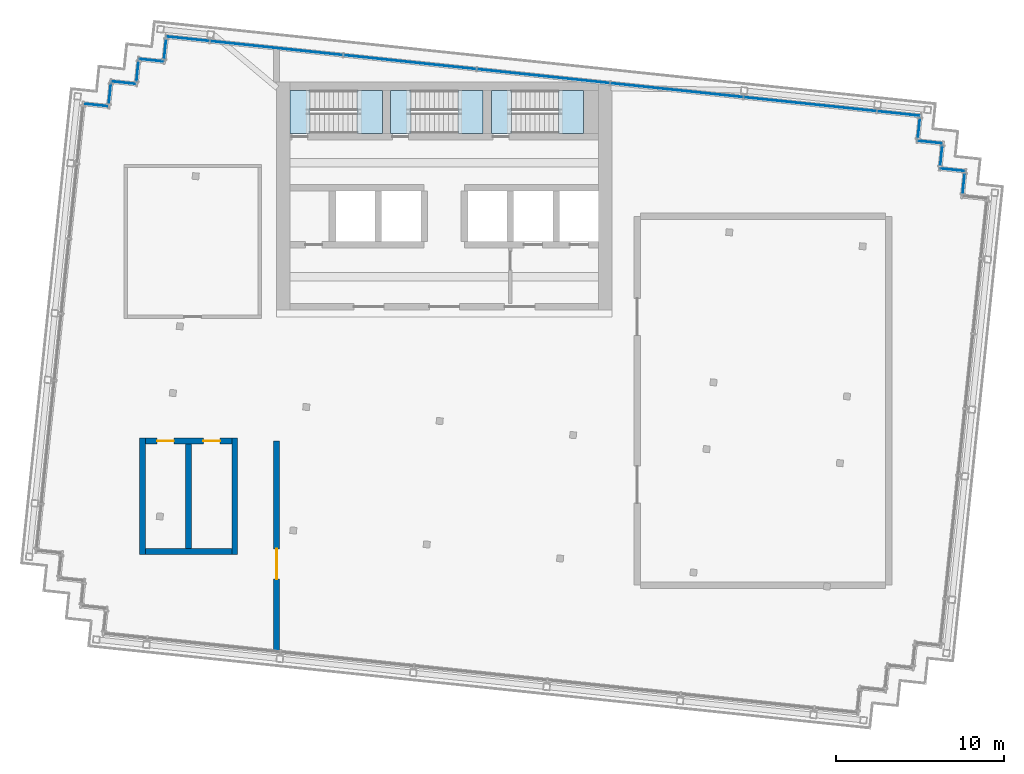
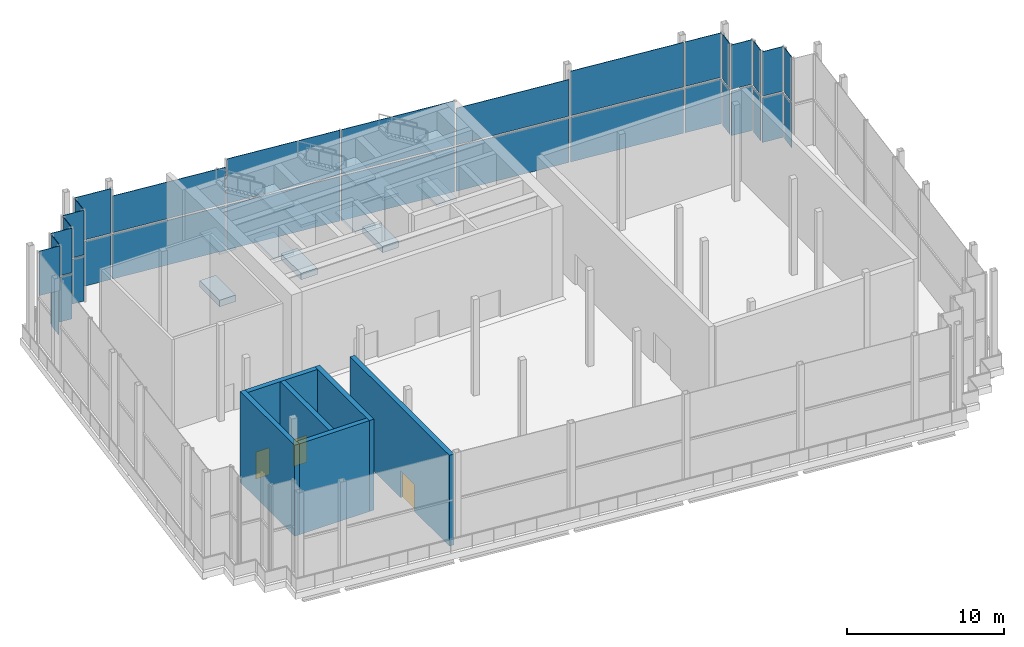
# One storey, part 8 of 14: 35 plates, 12 slabs, 6 walls, 3 doors, 3 openings, 15 elements without a shape of their own.
"""IFC4 building model written with IfcOpenShell, lengths in metres."""

from ifc_helpers import new_model, si_unit, direction, frame, frame_2d, origin, origin_2d, place, context, subcontext, project, spatial, polyline, rectangle, outline, extrude, material, layer, layer_set, type_object, element, fill, aggregate, save


model = new_model("IFC4")

# Units and contexts
model_context = context("Model", 3, precision=1e-05, world=origin(), true_north=direction((0.0, 1.0)))
body_context = subcontext(model_context, "Body", "Model", "MODEL_VIEW")
ifc_project = project(units=[si_unit("LENGTHUNIT", "METRE"), si_unit("AREAUNIT", "SQUARE_METRE"), si_unit("VOLUMEUNIT", "CUBIC_METRE"), si_unit("PLANEANGLEUNIT", "RADIAN"), si_unit("MASSUNIT", "GRAM", prefix="KILO")], contexts=[model_context])

# Site, building, storey
site_placement = place(None, origin())
site = spatial("IfcSite", under=ifc_project, at=site_placement, CompositionType="ELEMENT")
building_placement = place(site_placement, origin())
building = spatial("IfcBuilding", under=site, at=building_placement, Name="Vidyagriha Tower", CompositionType="ELEMENT")
storey_placement = place(building_placement, frame((0.0, 0.0, 301.699951171875)))
storey = spatial("IfcBuildingStorey", under=building, at=storey_placement, Name="L78", CompositionType="ELEMENT", Elevation=301.699951171875)

# Curtain wall, plates
ifc_material_1 = material(Name="Aluminium and glass curtain wall", Category="aluminium")
curtain_wall_type = type_object("IfcCurtainWallType", Name="Damper floor glazing wall", PredefinedType="USERDEFINED", material=ifc_material_1)
curtain_wall_1_placement = place(storey_placement, origin())
curtain_wall_1 = element("IfcCurtainWall", 1, at=curtain_wall_1_placement, inside=storey, type_object=curtain_wall_type, Name="CW5 damper floor glazing", ObjectType="STICK GLAZING", PredefinedType="USERDEFINED")
ifc_material_2 = material(Name="Glass clear low-iron", Category="glass")
ifc_layer_1 = layer(ifc_material_2, 0.0400390625)
ifc_layer_set_1 = layer_set([ifc_layer_1], Name="Glass clear low-iron")
plate_type = type_object("IfcPlateType", Name="Clear damper floor glass panel", PredefinedType="CURTAIN_PANEL", material=ifc_layer_set_1)
plate_1_placement = place(storey_placement, frame((30.973876953125, 13.949462890625, 0.0), z_axis=(0.0, 0.0, 1.0), x_axis=(0.104475014354, 0.994527511623, 0.0)))
plate_1 = element("IfcPlate", 2, at=plate_1_placement, type_object=plate_type, Name="CW5 panel 1.1", PredefinedType="CURTAIN_PANEL", context=body_context, shape_type="SweptSolid", body=[
    extrude(rectangle(XDim=1.139892578125, YDim=0.0400390625, at=origin_2d()), origin(), (0.0, 0.0, 1.0), 3.469970703125),
])
plate_2_placement = place(storey_placement, frame((30.973876953125, 13.949462890625, 3.60986328125), z_axis=(0.0, 0.0, 1.0), x_axis=(0.104475014354, 0.994527511623, 0.0)))
plate_2 = element("IfcPlate", 3, at=plate_2_placement, type_object=plate_type, Name="CW5 panel 1.2", PredefinedType="CURTAIN_PANEL", context=body_context, shape_type="SweptSolid", body=[
    extrude(rectangle(XDim=1.139892578125, YDim=0.0400390625, at=origin_2d()), origin(), (0.0, 0.0, 1.0), 3.469970703125),
])
aggregate(curtain_wall_1, [plate_1, plate_2])

curtain_wall_2_placement = place(storey_placement, origin())
curtain_wall_2 = element("IfcCurtainWall", 4, at=curtain_wall_2_placement, inside=storey, type_object=curtain_wall_type, Name="CW5 damper floor glazing", ObjectType="STICK GLAZING", PredefinedType="USERDEFINED")
plate_3_placement = place(storey_placement, frame((30.30615234375, 14.773681640625, 0.0), z_axis=(0.0, 0.0, 1.0), x_axis=(-0.994522933756, 0.104518583201, 0.0)))
plate_3 = element("IfcPlate", 5, at=plate_3_placement, type_object=plate_type, Name="CW5 panel 1.1", PredefinedType="CURTAIN_PANEL", context=body_context, shape_type="SweptSolid", body=[
    extrude(rectangle(XDim=1.4599609375, YDim=0.0400390625, at=origin_2d()), origin(), (0.0, 0.0, 1.0), 3.469970703125),
])
plate_4_placement = place(storey_placement, frame((30.30615234375, 14.773681640625, 3.60986328125), z_axis=(0.0, 0.0, 1.0), x_axis=(-0.994522933756, 0.104518583201, 0.0)))
plate_4 = element("IfcPlate", 6, at=plate_4_placement, type_object=plate_type, Name="CW5 panel 1.2", PredefinedType="CURTAIN_PANEL", context=body_context, shape_type="SweptSolid", body=[
    extrude(rectangle(XDim=1.4599609375, YDim=0.0400390625, at=origin_2d()), origin(), (0.0, 0.0, 1.0), 3.469970703125),
])
aggregate(curtain_wall_2, [plate_3, plate_4])

curtain_wall_3_placement = place(storey_placement, origin())
curtain_wall_3 = element("IfcCurtainWall", 7, at=curtain_wall_3_placement, inside=storey, type_object=curtain_wall_type, Name="CW5 damper floor glazing", ObjectType="STICK GLAZING", PredefinedType="USERDEFINED")
plate_5_placement = place(storey_placement, frame((29.638916015625, 15.59814453125, 0.0), z_axis=(0.0, 0.0, 1.0), x_axis=(0.104556583677, 0.994518939392, 0.0)))
plate_5 = element("IfcPlate", 8, at=plate_5_placement, type_object=plate_type, Name="CW5 panel 1.1", PredefinedType="CURTAIN_PANEL", context=body_context, shape_type="SweptSolid", body=[
    extrude(rectangle(XDim=1.139892578125, YDim=0.0400390625, at=origin_2d()), origin(), (0.0, 0.0, 1.0), 3.469970703125),
])
plate_6_placement = place(storey_placement, frame((29.638916015625, 15.59814453125, 3.60986328125), z_axis=(0.0, 0.0, 1.0), x_axis=(0.104556583677, 0.994518939392, 0.0)))
plate_6 = element("IfcPlate", 9, at=plate_6_placement, type_object=plate_type, Name="CW5 panel 1.2", PredefinedType="CURTAIN_PANEL", context=body_context, shape_type="SweptSolid", body=[
    extrude(rectangle(XDim=1.139892578125, YDim=0.0400390625, at=origin_2d()), origin(), (0.0, 0.0, 1.0), 3.469970703125),
])
aggregate(curtain_wall_3, [plate_5, plate_6])

curtain_wall_4_placement = place(storey_placement, origin())
curtain_wall_4 = element("IfcCurtainWall", 10, at=curtain_wall_4_placement, inside=storey, type_object=curtain_wall_type, Name="CW5 damper floor glazing", ObjectType="STICK GLAZING", PredefinedType="USERDEFINED")
plate_7_placement = place(storey_placement, frame((28.97119140625, 16.42236328125, 0.0), z_axis=(0.0, 0.0, 1.0), x_axis=(-0.994522933756, 0.104518583201, 0.0)))
plate_7 = element("IfcPlate", 11, at=plate_7_placement, type_object=plate_type, Name="CW5 panel 1.1", PredefinedType="CURTAIN_PANEL", context=body_context, shape_type="SweptSolid", body=[
    extrude(rectangle(XDim=1.4599609375, YDim=0.0400390625, at=origin_2d()), origin(), (0.0, 0.0, 1.0), 3.469970703125),
])
plate_8_placement = place(storey_placement, frame((28.97119140625, 16.42236328125, 3.60986328125), z_axis=(0.0, 0.0, 1.0), x_axis=(-0.994522933756, 0.104518583201, 0.0)))
plate_8 = element("IfcPlate", 12, at=plate_8_placement, type_object=plate_type, Name="CW5 panel 1.2", PredefinedType="CURTAIN_PANEL", context=body_context, shape_type="SweptSolid", body=[
    extrude(rectangle(XDim=1.4599609375, YDim=0.0400390625, at=origin_2d()), origin(), (0.0, 0.0, 1.0), 3.469970703125),
])
aggregate(curtain_wall_4, [plate_7, plate_8])

curtain_wall_5_placement = place(storey_placement, origin())
curtain_wall_5 = element("IfcCurtainWall", 13, at=curtain_wall_5_placement, inside=storey, type_object=curtain_wall_type, Name="CW5 damper floor glazing", ObjectType="STICK GLAZING", PredefinedType="USERDEFINED")
plate_9_placement = place(storey_placement, frame((28.3037109375, 17.24658203125, 0.0), z_axis=(0.0, 0.0, 1.0), x_axis=(0.104556583677, 0.994518939392, 0.0)))
plate_9 = element("IfcPlate", 14, at=plate_9_placement, type_object=plate_type, Name="CW5 panel 1.1", PredefinedType="CURTAIN_PANEL", context=body_context, shape_type="SweptSolid", body=[
    extrude(rectangle(XDim=1.139892578125, YDim=0.0400390625, at=origin_2d()), origin(), (0.0, 0.0, 1.0), 3.469970703125),
])
plate_10_placement = place(storey_placement, frame((28.3037109375, 17.24658203125, 3.60986328125), z_axis=(0.0, 0.0, 1.0), x_axis=(0.104556583677, 0.994518939392, 0.0)))
plate_10 = element("IfcPlate", 15, at=plate_10_placement, type_object=plate_type, Name="CW5 panel 1.2", PredefinedType="CURTAIN_PANEL", context=body_context, shape_type="SweptSolid", body=[
    extrude(rectangle(XDim=1.139892578125, YDim=0.0400390625, at=origin_2d()), origin(), (0.0, 0.0, 1.0), 3.469970703125),
])
aggregate(curtain_wall_5, [plate_9, plate_10])

curtain_wall_6_placement = place(storey_placement, origin())
curtain_wall_6 = element("IfcCurtainWall", 16, at=curtain_wall_6_placement, inside=storey, type_object=curtain_wall_type, Name="CW5 damper floor glazing", ObjectType="STICK GLAZING", PredefinedType="USERDEFINED")
plate_11_placement = place(storey_placement, frame((27.104248046875, 18.126953125, 0.0), z_axis=(0.0, 0.0, 1.0), x_axis=(-0.994521941707, 0.104528022383, 0.0)))
plate_11 = element("IfcPlate", 17, at=plate_11_placement, type_object=plate_type, Name="CW5 panel 1.1", PredefinedType="CURTAIN_PANEL", context=body_context, shape_type="SweptSolid", body=[
    extrude(rectangle(XDim=2.530029296875, YDim=0.0400390625, at=origin_2d()), origin(), (0.0, 0.0, 1.0), 3.469970703125),
])
plate_12_placement = place(storey_placement, frame((27.104248046875, 18.126953125, 3.60986328125), z_axis=(0.0, 0.0, 1.0), x_axis=(-0.994521941707, 0.104528022383, 0.0)))
plate_12 = element("IfcPlate", 18, at=plate_12_placement, type_object=plate_type, Name="CW5 panel 1.2", PredefinedType="CURTAIN_PANEL", context=body_context, shape_type="SweptSolid", body=[
    extrude(rectangle(XDim=2.530029296875, YDim=0.0400390625, at=origin_2d()), origin(), (0.0, 0.0, 1.0), 3.469970703125),
])
plate_13_placement = place(storey_placement, frame((21.818359375, 18.682373046875, 0.0), z_axis=(0.0, 0.0, 1.0), x_axis=(-0.994521941707, 0.104528022383, 0.0)))
plate_13 = element("IfcPlate", 19, at=plate_13_placement, type_object=plate_type, Name="CW5 panel 2.1", PredefinedType="CURTAIN_PANEL", context=body_context, shape_type="SweptSolid", body=[
    extrude(rectangle(XDim=7.89990234375, YDim=0.0400390625, at=origin_2d()), origin(), (0.0, 0.0, 1.0), 3.469970703125),
])
plate_14_placement = place(storey_placement, frame((21.818359375, 18.682373046875, 3.60986328125), z_axis=(0.0, 0.0, 1.0), x_axis=(-0.994521941707, 0.104528022383, 0.0)))
plate_14 = element("IfcPlate", 20, at=plate_14_placement, type_object=plate_type, Name="CW5 panel 2.2", PredefinedType="CURTAIN_PANEL", context=body_context, shape_type="SweptSolid", body=[
    extrude(rectangle(XDim=7.89990234375, YDim=0.0400390625, at=origin_2d()), origin(), (0.0, 0.0, 1.0), 3.469970703125),
])
plate_15_placement = place(storey_placement, frame((13.862060546875, 19.518798828125, 0.0), z_axis=(0.0, 0.0, 1.0), x_axis=(-0.994521941707, 0.104528022383, 0.0)))
plate_15 = element("IfcPlate", 21, at=plate_15_placement, type_object=plate_type, Name="CW5 panel 3.1", PredefinedType="CURTAIN_PANEL", context=body_context, shape_type="SweptSolid", body=[
    extrude(rectangle(XDim=7.89990234375, YDim=0.0400390625, at=origin_2d()), origin(), (0.0, 0.0, 1.0), 3.469970703125),
])
plate_16_placement = place(storey_placement, frame((13.862060546875, 19.518798828125, 3.610107421875), z_axis=(0.0, 0.0, 1.0), x_axis=(-0.994521941707, 0.104528022383, 0.0)))
plate_16 = element("IfcPlate", 22, at=plate_16_placement, type_object=plate_type, Name="CW5 panel 3.2", PredefinedType="CURTAIN_PANEL", context=body_context, shape_type="SweptSolid", body=[
    extrude(rectangle(XDim=7.89990234375, YDim=0.0400390625, at=origin_2d()), origin(), (0.0, 0.0, 1.0), 2.85791015625),
])
plate_17_placement = place(storey_placement, frame((5.906005859375, 20.35498046875, 0.0), z_axis=(0.0, 0.0, 1.0), x_axis=(-0.994521941707, 0.104528022383, 0.0)))
plate_17 = element("IfcPlate", 23, at=plate_17_placement, type_object=plate_type, Name="CW5 panel 4.1", PredefinedType="CURTAIN_PANEL", context=body_context, shape_type="SweptSolid", body=[
    extrude(rectangle(XDim=7.89990234375, YDim=0.0400390625, at=origin_2d()), origin(), (0.0, 0.0, 1.0), 3.469970703125),
])
plate_18_placement = place(storey_placement, frame((5.906005859375, 20.35498046875, 3.60986328125), z_axis=(0.0, 0.0, 1.0), x_axis=(-0.994521941707, 0.104528022383, 0.0)))
plate_18 = element("IfcPlate", 24, at=plate_18_placement, type_object=plate_type, Name="CW5 panel 4.2", PredefinedType="CURTAIN_PANEL", context=body_context, shape_type="SweptSolid", body=[
    extrude(rectangle(XDim=7.89990234375, YDim=0.0400390625, at=origin_2d()), origin(), (0.0, 0.0, 1.0), 3.469970703125),
])
plate_19_placement = place(storey_placement, frame((-2.05029296875, 21.191162109375, 0.0), z_axis=(0.0, 0.0, 1.0), x_axis=(-0.994521941707, 0.104528022383, 0.0)))
plate_19 = element("IfcPlate", 25, at=plate_19_placement, type_object=plate_type, Name="CW5 panel 5.1", PredefinedType="CURTAIN_PANEL", context=body_context, shape_type="SweptSolid", body=[
    extrude(rectangle(XDim=7.89990234375, YDim=0.0400390625, at=origin_2d()), origin(), (0.0, 0.0, 1.0), 3.469970703125),
])
plate_20_placement = place(storey_placement, frame((-2.05029296875, 21.191162109375, 3.60986328125), z_axis=(0.0, 0.0, 1.0), x_axis=(-0.994521941707, 0.104528022383, 0.0)))
plate_20 = element("IfcPlate", 26, at=plate_20_placement, type_object=plate_type, Name="CW5 panel 5.2", PredefinedType="CURTAIN_PANEL", context=body_context, shape_type="SweptSolid", body=[
    extrude(rectangle(XDim=7.89990234375, YDim=0.0400390625, at=origin_2d()), origin(), (0.0, 0.0, 1.0), 3.469970703125),
])
plate_21_placement = place(storey_placement, frame((-10.00634765625, 22.02734375, 0.0), z_axis=(0.0, 0.0, 1.0), x_axis=(-0.994521941707, 0.104528022383, 0.0)))
plate_21 = element("IfcPlate", 27, at=plate_21_placement, type_object=plate_type, Name="CW5 panel 6.1", PredefinedType="CURTAIN_PANEL", context=body_context, shape_type="SweptSolid", body=[
    extrude(rectangle(XDim=7.89990234375, YDim=0.0400390625, at=origin_2d()), origin(), (0.0, 0.0, 1.0), 3.469970703125),
])
plate_22_placement = place(storey_placement, frame((-10.00634765625, 22.02734375, 3.610107421875), z_axis=(0.0, 0.0, 1.0), x_axis=(-0.994521941707, 0.104528022383, 0.0)))
plate_22 = element("IfcPlate", 28, at=plate_22_placement, type_object=plate_type, Name="CW5 panel 6.2", PredefinedType="CURTAIN_PANEL", context=body_context, shape_type="SweptSolid", body=[
    extrude(rectangle(XDim=7.89990234375, YDim=0.0400390625, at=origin_2d()), origin(), (0.0, 0.0, 1.0), 2.85791015625),
])
plate_23_placement = place(storey_placement, frame((-15.292236328125, 22.5830078125, 0.0), z_axis=(0.0, 0.0, 1.0), x_axis=(-0.994521941707, 0.104528022383, 0.0)))
plate_23 = element("IfcPlate", 29, at=plate_23_placement, type_object=plate_type, Name="CW5 panel 7.1", PredefinedType="CURTAIN_PANEL", context=body_context, shape_type="SweptSolid", body=[
    extrude(rectangle(XDim=2.530029296875, YDim=0.0400390625, at=origin_2d()), origin(), (0.0, 0.0, 1.0), 3.469970703125),
])
plate_24_placement = place(storey_placement, frame((-15.292236328125, 22.5830078125, 3.60986328125), z_axis=(0.0, 0.0, 1.0), x_axis=(-0.994521941707, 0.104528022383, 0.0)))
plate_24 = element("IfcPlate", 30, at=plate_24_placement, type_object=plate_type, Name="CW5 panel 7.2", PredefinedType="CURTAIN_PANEL", context=body_context, shape_type="SweptSolid", body=[
    extrude(rectangle(XDim=2.530029296875, YDim=0.0400390625, at=origin_2d()), origin(), (0.0, 0.0, 1.0), 3.469970703125),
])
aggregate(curtain_wall_6, [plate_11, plate_12, plate_13, plate_14, plate_15, plate_16, plate_17, plate_18, plate_19, plate_20, plate_21, plate_22, plate_23, plate_24])

curtain_wall_7_placement = place(storey_placement, origin())
curtain_wall_7 = element("IfcCurtainWall", 31, at=curtain_wall_7_placement, inside=storey, type_object=curtain_wall_type, Name="CW5 damper floor glazing", ObjectType="STICK GLAZING", PredefinedType="USERDEFINED")
plate_25_placement = place(storey_placement, frame((-16.648681640625, 21.971435546875, 0.0), z_axis=(0.0, 0.0, 1.0), x_axis=(-0.104548823962, -0.994519755162, 0.0)))
plate_25 = element("IfcPlate", 32, at=plate_25_placement, type_object=plate_type, Name="CW5 panel 1.1", PredefinedType="CURTAIN_PANEL", context=body_context, shape_type="SweptSolid", body=[
    extrude(rectangle(XDim=1.139892578125, YDim=0.0400390625, at=origin_2d()), origin(), (0.0, 0.0, 1.0), 3.469970703125),
])
plate_26_placement = place(storey_placement, frame((-16.648681640625, 21.971435546875, 3.60986328125), z_axis=(0.0, 0.0, 1.0), x_axis=(-0.104548823962, -0.994519755162, 0.0)))
plate_26 = element("IfcPlate", 33, at=plate_26_placement, type_object=plate_type, Name="CW5 panel 1.2", PredefinedType="CURTAIN_PANEL", context=body_context, shape_type="SweptSolid", body=[
    extrude(rectangle(XDim=1.139892578125, YDim=0.0400390625, at=origin_2d()), origin(), (0.0, 0.0, 1.0), 3.469970703125),
])
aggregate(curtain_wall_7, [plate_25, plate_26])

curtain_wall_8_placement = place(storey_placement, origin())
curtain_wall_8 = element("IfcCurtainWall", 34, at=curtain_wall_8_placement, inside=storey, type_object=curtain_wall_type, Name="CW5 damper floor glazing", ObjectType="STICK GLAZING", PredefinedType="USERDEFINED")
plate_27_placement = place(storey_placement, frame((-17.472900390625, 21.303955078125, 0.0), z_axis=(0.0, 0.0, 1.0), x_axis=(-0.994522933756, 0.104518583201, 0.0)))
plate_27 = element("IfcPlate", 35, at=plate_27_placement, type_object=plate_type, Name="CW5 panel 1.1", PredefinedType="CURTAIN_PANEL", context=body_context, shape_type="SweptSolid", body=[
    extrude(rectangle(XDim=1.4599609375, YDim=0.0400390625, at=origin_2d()), origin(), (0.0, 0.0, 1.0), 3.469970703125),
])
plate_28_placement = place(storey_placement, frame((-17.472900390625, 21.303955078125, 3.60986328125), z_axis=(0.0, 0.0, 1.0), x_axis=(-0.994522933756, 0.104518583201, 0.0)))
plate_28 = element("IfcPlate", 36, at=plate_28_placement, type_object=plate_type, Name="CW5 panel 1.2", PredefinedType="CURTAIN_PANEL", context=body_context, shape_type="SweptSolid", body=[
    extrude(rectangle(XDim=1.4599609375, YDim=0.0400390625, at=origin_2d()), origin(), (0.0, 0.0, 1.0), 3.469970703125),
])
aggregate(curtain_wall_8, [plate_27, plate_28])

curtain_wall_9_placement = place(storey_placement, origin())
curtain_wall_9 = element("IfcCurtainWall", 37, at=curtain_wall_9_placement, inside=storey, type_object=curtain_wall_type, Name="CW5 damper floor glazing", ObjectType="STICK GLAZING", PredefinedType="USERDEFINED")
plate_29_placement = place(storey_placement, frame((-18.297119140625, 20.636474609375, 0.0), z_axis=(0.0, 0.0, 1.0), x_axis=(-0.104548823962, -0.994519755162, 0.0)))
plate_29 = element("IfcPlate", 38, at=plate_29_placement, type_object=plate_type, Name="CW5 panel 1.1", PredefinedType="CURTAIN_PANEL", context=body_context, shape_type="SweptSolid", body=[
    extrude(rectangle(XDim=1.139892578125, YDim=0.0400390625, at=origin_2d()), origin(), (0.0, 0.0, 1.0), 3.469970703125),
])
plate_30_placement = place(storey_placement, frame((-18.297119140625, 20.636474609375, 3.60986328125), z_axis=(0.0, 0.0, 1.0), x_axis=(-0.104548823962, -0.994519755162, 0.0)))
plate_30 = element("IfcPlate", 39, at=plate_30_placement, type_object=plate_type, Name="CW5 panel 1.2", PredefinedType="CURTAIN_PANEL", context=body_context, shape_type="SweptSolid", body=[
    extrude(rectangle(XDim=1.139892578125, YDim=0.0400390625, at=origin_2d()), origin(), (0.0, 0.0, 1.0), 3.469970703125),
])
aggregate(curtain_wall_9, [plate_29, plate_30])

curtain_wall_10_placement = place(storey_placement, origin())
curtain_wall_10 = element("IfcCurtainWall", 40, at=curtain_wall_10_placement, inside=storey, type_object=curtain_wall_type, Name="CW5 damper floor glazing", ObjectType="STICK GLAZING", PredefinedType="USERDEFINED")
plate_31_placement = place(storey_placement, frame((-19.12158203125, 19.96875, 0.0), z_axis=(0.0, 0.0, 1.0), x_axis=(-0.994523591781, 0.104512321721, 0.0)))
plate_31 = element("IfcPlate", 41, at=plate_31_placement, type_object=plate_type, Name="CW5 panel 1.1", PredefinedType="CURTAIN_PANEL", context=body_context, shape_type="SweptSolid", body=[
    extrude(rectangle(XDim=1.460205078125, YDim=0.0400390625, at=origin_2d()), origin(), (0.0, 0.0, 1.0), 3.469970703125),
])
plate_32_placement = place(storey_placement, frame((-19.12158203125, 19.96875, 3.60986328125), z_axis=(0.0, 0.0, 1.0), x_axis=(-0.994523591781, 0.104512321721, 0.0)))
plate_32 = element("IfcPlate", 42, at=plate_32_placement, type_object=plate_type, Name="CW5 panel 1.2", PredefinedType="CURTAIN_PANEL", context=body_context, shape_type="SweptSolid", body=[
    extrude(rectangle(XDim=1.460205078125, YDim=0.0400390625, at=origin_2d()), origin(), (0.0, 0.0, 1.0), 3.469970703125),
])
aggregate(curtain_wall_10, [plate_31, plate_32])

curtain_wall_11_placement = place(storey_placement, origin())
curtain_wall_11 = element("IfcCurtainWall", 43, at=curtain_wall_11_placement, inside=storey, type_object=curtain_wall_type, Name="CW5 damper floor glazing", ObjectType="STICK GLAZING", PredefinedType="USERDEFINED")
plate_33_placement = place(storey_placement, frame((-19.94580078125, 19.301513671875, 0.0), z_axis=(0.0, 0.0, 1.0), x_axis=(-0.10456434453, -0.994518123441, 0.0)))
plate_33 = element("IfcPlate", 44, at=plate_33_placement, type_object=plate_type, Name="CW5 panel 1.1", PredefinedType="CURTAIN_PANEL", context=body_context, shape_type="SweptSolid", body=[
    extrude(rectangle(XDim=1.139892578125, YDim=0.0400390625, at=origin_2d()), origin(), (0.0, 0.0, 1.0), 3.469970703125),
])
plate_34_placement = place(storey_placement, frame((-19.94580078125, 19.301513671875, 3.60986328125), z_axis=(0.0, 0.0, 1.0), x_axis=(-0.10456434453, -0.994518123441, 0.0)))
plate_34 = element("IfcPlate", 45, at=plate_34_placement, type_object=plate_type, Name="CW5 panel 1.2", PredefinedType="CURTAIN_PANEL", context=body_context, shape_type="SweptSolid", body=[
    extrude(rectangle(XDim=1.139892578125, YDim=0.0400390625, at=origin_2d()), origin(), (0.0, 0.0, 1.0), 3.469970703125),
])
aggregate(curtain_wall_11, [plate_33, plate_34])

# Curtain wall, plate
curtain_wall_12_placement = place(storey_placement, origin())
curtain_wall_12 = element("IfcCurtainWall", 46, at=curtain_wall_12_placement, inside=storey, type_object=curtain_wall_type, Name="CW5 damper floor glazing", ObjectType="STICK GLAZING", PredefinedType="USERDEFINED")
plate_35_placement = place(storey_placement, frame((-20.77001953125, 18.634033203125, 3.60986328125), z_axis=(0.0, 0.0, 1.0), x_axis=(-0.994529851134, 0.104452741485, 0.0)))
plate_35 = element("IfcPlate", 47, at=plate_35_placement, type_object=plate_type, Name="CW5 panel 1.2", PredefinedType="CURTAIN_PANEL", context=body_context, shape_type="SweptSolid", body=[
    extrude(rectangle(XDim=1.460205078125, YDim=0.0400390625, at=origin_2d()), origin(), (0.0, 0.0, 1.0), 3.469970703125),
])
aggregate(curtain_wall_12, [plate_35])

# Slabs
ifc_material_3 = material(Name="Concrete C40/50", Category="concrete")
ifc_layer_2 = layer(ifc_material_3, 0.5)
ifc_layer_set_2 = layer_set([ifc_layer_2], Name="Concrete C40/50")
slab_type_1 = type_object("IfcSlabType", Name="Exit stair floor landing 500 mm", PredefinedType="LANDING", material=ifc_layer_set_2)
slab_1_placement = place(storey_placement, frame((0.0, 0.0, -0.5)))
element("IfcSlab", 48, at=slab_1_placement, inside=storey, type_object=slab_type_1, Name="ST1 floor landing L78", PredefinedType="LANDING", context=body_context, shape_type="SweptSolid", body=[
    extrude(outline(polyline([(-9.199951171875, 16.949951171875), (-8.0, 16.949951171875), (-8.0, 19.5), (-9.199951171875, 19.5), (-9.199951171875, 16.949951171875)])), origin(), (0.0, 0.0, 1.0), 0.5),
])
slab_2_placement = place(storey_placement, frame((0.0, 0.0, -0.5)))
element("IfcSlab", 49, at=slab_2_placement, inside=storey, type_object=slab_type_1, Name="ST2 floor landing L78", PredefinedType="LANDING", context=body_context, shape_type="SweptSolid", body=[
    extrude(outline(polyline([(-3.199951171875, 16.949951171875), (-2.0, 16.949951171875), (-2.0, 19.5), (-3.199951171875, 19.5), (-3.199951171875, 16.949951171875)])), origin(), (0.0, 0.0, 1.0), 0.5),
])
slab_3_placement = place(storey_placement, frame((0.0, 0.0, -0.5)))
element("IfcSlab", 50, at=slab_3_placement, inside=storey, type_object=slab_type_1, Name="ST3 floor landing L78", PredefinedType="LANDING", context=body_context, shape_type="SweptSolid", body=[
    extrude(outline(polyline([(2.800048828125, 16.949951171875), (4.0, 16.949951171875), (4.0, 19.5), (2.800048828125, 19.5), (2.800048828125, 16.949951171875)])), origin(), (0.0, 0.0, 1.0), 0.5),
])

# Stair, slabs
ifc_material_4 = material(Name="Concrete C40/50", Category="concrete")
stair_type = type_object("IfcStairType", Name="Exit stair, half-turn, precast flights", PredefinedType="HALF_TURN_STAIR", material=ifc_material_4)
stair_1_placement = place(storey_placement, origin())
stair_1 = element("IfcStair", 51, at=stair_1_placement, inside=storey, type_object=stair_type, Name="L78 Exit Stair ST1", PredefinedType="HALF_TURN_STAIR")
ifc_material_5 = material(Name="Concrete C40/50", Category="concrete")
ifc_layer_3 = layer(ifc_material_5, 0.199951171875)
ifc_layer_set_3 = layer_set([ifc_layer_3], Name="Concrete C40/50")
slab_type_2 = type_object("IfcSlabType", Name="Exit stair landing 200 mm", PredefinedType="LANDING", material=ifc_layer_set_3)
slab_4_placement = place(storey_placement, frame((0.0, 0.0, 1.675048828125)))
slab_4 = element("IfcSlab", 52, at=slab_4_placement, type_object=slab_type_2, Name="ST1 landing 1", PredefinedType="LANDING", context=body_context, shape_type="SweptSolid", body=[
    extrude(outline(polyline([(-5.199951171875, 16.949951171875), (-3.699951171875, 16.949951171875), (-3.699951171875, 19.5), (-5.199951171875, 19.5), (-5.199951171875, 16.949951171875)])), origin(), (0.0, 0.0, 1.0), 0.199951171875),
])
slab_5_placement = place(storey_placement, frame((0.0, 0.0, 3.550048828125)))
slab_5 = element("IfcSlab", 53, at=slab_5_placement, type_object=slab_type_2, Name="ST1 landing 2", PredefinedType="LANDING", context=body_context, shape_type="SweptSolid", body=[
    extrude(outline(polyline([(-9.199951171875, 16.949951171875), (-8.0, 16.949951171875), (-8.0, 19.5), (-9.199951171875, 19.5), (-9.199951171875, 16.949951171875)])), origin(), (0.0, 0.0, 1.0), 0.199951171875),
])
slab_6_placement = place(storey_placement, frame((0.0, 0.0, 5.425048828125)))
slab_6 = element("IfcSlab", 54, at=slab_6_placement, type_object=slab_type_2, Name="ST1 landing 3", PredefinedType="LANDING", context=body_context, shape_type="SweptSolid", body=[
    extrude(outline(polyline([(-5.199951171875, 16.949951171875), (-3.699951171875, 16.949951171875), (-3.699951171875, 19.5), (-5.199951171875, 19.5), (-5.199951171875, 16.949951171875)])), origin(), (0.0, 0.0, 1.0), 0.199951171875),
])
aggregate(stair_1, [slab_4, slab_5, slab_6])

stair_2_placement = place(storey_placement, origin())
stair_2 = element("IfcStair", 55, at=stair_2_placement, inside=storey, type_object=stair_type, Name="L78 Exit Stair ST2", PredefinedType="HALF_TURN_STAIR")
slab_7_placement = place(storey_placement, frame((0.0, 0.0, 1.675048828125)))
slab_7 = element("IfcSlab", 56, at=slab_7_placement, type_object=slab_type_2, Name="ST2 landing 1", PredefinedType="LANDING", context=body_context, shape_type="SweptSolid", body=[
    extrude(outline(polyline([(0.800048828125, 16.949951171875), (2.300048828125, 16.949951171875), (2.300048828125, 19.5), (0.800048828125, 19.5), (0.800048828125, 16.949951171875)])), origin(), (0.0, 0.0, 1.0), 0.199951171875),
])
slab_8_placement = place(storey_placement, frame((0.0, 0.0, 3.550048828125)))
slab_8 = element("IfcSlab", 57, at=slab_8_placement, type_object=slab_type_2, Name="ST2 landing 2", PredefinedType="LANDING", context=body_context, shape_type="SweptSolid", body=[
    extrude(outline(polyline([(-3.199951171875, 16.949951171875), (-2.0, 16.949951171875), (-2.0, 19.5), (-3.199951171875, 19.5), (-3.199951171875, 16.949951171875)])), origin(), (0.0, 0.0, 1.0), 0.199951171875),
])
slab_9_placement = place(storey_placement, frame((0.0, 0.0, 5.425048828125)))
slab_9 = element("IfcSlab", 58, at=slab_9_placement, type_object=slab_type_2, Name="ST2 landing 3", PredefinedType="LANDING", context=body_context, shape_type="SweptSolid", body=[
    extrude(outline(polyline([(0.800048828125, 16.949951171875), (2.300048828125, 16.949951171875), (2.300048828125, 19.5), (0.800048828125, 19.5), (0.800048828125, 16.949951171875)])), origin(), (0.0, 0.0, 1.0), 0.199951171875),
])
aggregate(stair_2, [slab_7, slab_8, slab_9])

stair_3_placement = place(storey_placement, origin())
stair_3 = element("IfcStair", 59, at=stair_3_placement, inside=storey, type_object=stair_type, Name="L78 Exit Stair ST3", PredefinedType="HALF_TURN_STAIR")
slab_10_placement = place(storey_placement, frame((0.0, 0.0, 1.675048828125)))
slab_10 = element("IfcSlab", 60, at=slab_10_placement, type_object=slab_type_2, Name="ST3 landing 1", PredefinedType="LANDING", context=body_context, shape_type="SweptSolid", body=[
    extrude(outline(polyline([(6.800048828125, 16.949951171875), (8.300048828125, 16.949951171875), (8.300048828125, 19.5), (6.800048828125, 19.5), (6.800048828125, 16.949951171875)])), origin(), (0.0, 0.0, 1.0), 0.199951171875),
])
slab_11_placement = place(storey_placement, frame((0.0, 0.0, 3.550048828125)))
slab_11 = element("IfcSlab", 61, at=slab_11_placement, type_object=slab_type_2, Name="ST3 landing 2", PredefinedType="LANDING", context=body_context, shape_type="SweptSolid", body=[
    extrude(outline(polyline([(2.800048828125, 16.949951171875), (4.0, 16.949951171875), (4.0, 19.5), (2.800048828125, 19.5), (2.800048828125, 16.949951171875)])), origin(), (0.0, 0.0, 1.0), 0.199951171875),
])
slab_12_placement = place(storey_placement, frame((0.0, 0.0, 5.425048828125)))
slab_12 = element("IfcSlab", 62, at=slab_12_placement, type_object=slab_type_2, Name="ST3 landing 3", PredefinedType="LANDING", context=body_context, shape_type="SweptSolid", body=[
    extrude(outline(polyline([(6.800048828125, 16.949951171875), (8.300048828125, 16.949951171875), (8.300048828125, 19.5), (6.800048828125, 19.5), (6.800048828125, 16.949951171875)])), origin(), (0.0, 0.0, 1.0), 0.199951171875),
])
aggregate(stair_3, [slab_10, slab_11, slab_12])

# Wall, opening, door
ifc_material_6 = material(Name="Blockwork 15 MPa", Category="masonry")
ifc_layer_4 = layer(ifc_material_6, 0.35009765625)
ifc_layer_set_4 = layer_set([ifc_layer_4], Name="Blockwork 15 MPa")
wall_type = type_object("IfcWallType", Name="Service room partition 350 mm", PredefinedType="PARTITIONING", material=ifc_layer_set_4)
wall_1_placement = place(storey_placement, frame((-10.0, -14.071044921875, 0.0), z_axis=(0.0, 0.0, 1.0), x_axis=(0.0, 1.0, 0.0)))
wall_1 = element("IfcWall", 63, at=wall_1_placement, inside=storey, type_object=wall_type, Name="Gallery partition", PredefinedType="PARTITIONING", context=body_context, shape_type="SweptSolid", body=[
    extrude(rectangle(XDim=12.671142578125, YDim=0.35009765625, at=frame_2d((6.33544921875, 0.0))), origin(), (0.0, 0.0, 1.0), 7.080078125),
])
opening_1_placement = place(wall_1_placement, frame((4.435546875, 0.0, 0.0)))
opening_1 = element("IfcOpeningElement", 64, at=opening_1_placement, cuts=wall_1, Name="Opening D78-12", PredefinedType="OPENING", context=body_context, shape_type="SweptSolid", body=[
    extrude(rectangle(XDim=1.800048828125, YDim=2.10009765625, at=frame_2d((0.89990234375, 1.050048828125))), frame((0.0, 0.18505859375, 0.0), z_axis=(0.0, -1.0, 0.0), x_axis=(1.0, 0.0, 0.0)), (0.0, 0.0, 1.0), 0.3701171875),
])
ifc_material_7 = material(Name="Hollow metal door leaf")
door_type_1 = type_object("IfcDoorType", Name="Core room door 1800 x 2100 mm EI 60", OperationType="NOTDEFINED", PredefinedType="DOOR", material=ifc_material_7)
door_1_placement = place(opening_1_placement, origin())
door_1 = element("IfcDoor", 65, at=door_1_placement, inside=storey, type_object=door_type_1, Name="Door exhibition room", OperationType="SINGLE_SWING_LEFT", OverallHeight=2.10009765625, OverallWidth=1.800048828125, PredefinedType="DOOR", context=body_context, shape_type="SweptSolid", body=[
    extrude(rectangle(XDim=1.800048828125, YDim=2.10009765625, at=frame_2d((0.89990234375, 1.050048828125))), frame((0.0, 0.02490234375, 0.0), z_axis=(0.0, -1.0, 0.0), x_axis=(1.0, 0.0, 0.0)), (0.0, 0.0, 1.0), 0.050048828125),
])
fill(opening_1, door_1)

# Wall, openings, doors
wall_2_placement = place(storey_placement, frame((-17.824951171875, -1.39990234375, 0.0)))
wall_2 = element("IfcWall", 66, at=wall_2_placement, inside=storey, type_object=wall_type, Name="Toilet block north wall", PredefinedType="PARTITIONING", context=body_context, shape_type="SweptSolid", body=[
    extrude(rectangle(XDim=5.14990234375, YDim=0.35009765625, at=frame_2d((2.574951171875, 0.0))), origin(), (0.0, 0.0, 1.0), 7.080078125),
])
opening_2_placement = place(wall_2_placement, frame((0.699951171875, 0.0, 0.0)))
opening_2 = element("IfcOpeningElement", 67, at=opening_2_placement, cuts=wall_2, Name="Opening D78-13", PredefinedType="OPENING", context=body_context, shape_type="SweptSolid", body=[
    extrude(rectangle(XDim=1.0, YDim=2.10009765625, at=frame_2d((0.5, 1.050048828125))), frame((0.0, 0.18505859375, 0.0), z_axis=(0.0, -1.0, 0.0), x_axis=(1.0, 0.0, 0.0)), (0.0, 0.0, 1.0), 0.3701171875),
])
opening_3_placement = place(wall_2_placement, frame((3.449951171875, 0.0, 0.0)))
opening_3 = element("IfcOpeningElement", 68, at=opening_3_placement, cuts=wall_2, Name="Opening D78-14", PredefinedType="OPENING", context=body_context, shape_type="SweptSolid", body=[
    extrude(rectangle(XDim=1.0, YDim=2.10009765625, at=frame_2d((0.5, 1.050048828125))), frame((0.0, 0.18505859375, 0.0), z_axis=(0.0, -1.0, 0.0), x_axis=(1.0, 0.0, 0.0)), (0.0, 0.0, 1.0), 0.3701171875),
])
ifc_material_8 = material(Name="Hollow metal door leaf")
door_type_2 = type_object("IfcDoorType", Name="Core room door 1000 x 2100 mm EI 60", OperationType="NOTDEFINED", PredefinedType="DOOR", material=ifc_material_8)
door_2_placement = place(opening_2_placement, origin())
door_2 = element("IfcDoor", 69, at=door_2_placement, inside=storey, type_object=door_type_2, Name="Door accessible WC 78", OperationType="SINGLE_SWING_RIGHT", OverallHeight=2.10009765625, OverallWidth=1.0, PredefinedType="DOOR", context=body_context, shape_type="SweptSolid", body=[
    extrude(rectangle(XDim=1.0, YDim=2.10009765625, at=frame_2d((0.5, 1.050048828125))), frame((0.0, 0.02490234375, 0.0), z_axis=(0.0, -1.0, 0.0), x_axis=(1.0, 0.0, 0.0)), (0.0, 0.0, 1.0), 0.050048828125),
])
fill(opening_2, door_2)
door_3_placement = place(opening_3_placement, origin())
door_3 = element("IfcDoor", 70, at=door_3_placement, inside=storey, type_object=door_type_2, Name="Door WC 78", OperationType="SINGLE_SWING_RIGHT", OverallHeight=2.10009765625, OverallWidth=1.0, PredefinedType="DOOR", context=body_context, shape_type="SweptSolid", body=[
    extrude(rectangle(XDim=1.0, YDim=2.10009765625, at=frame_2d((0.5, 1.050048828125))), frame((0.0, 0.02490234375, 0.0), z_axis=(0.0, -1.0, 0.0), x_axis=(1.0, 0.0, 0.0)), (0.0, 0.0, 1.0), 0.050048828125),
])
fill(opening_3, door_3)

# Walls
wall_3_placement = place(storey_placement, frame((-17.824951171875, -8.0, 0.0)))
element("IfcWall", 71, at=wall_3_placement, inside=storey, type_object=wall_type, Name="Toilet block south wall", PredefinedType="PARTITIONING", context=body_context, shape_type="SweptSolid", body=[
    extrude(rectangle(XDim=5.14990234375, YDim=0.35009765625, at=frame_2d((2.574951171875, 0.0))), origin(), (0.0, 0.0, 1.0), 7.080078125),
])
for number, where, z_axis, x_axis, name in (
    (72, (-18.0, -8.175048828125, 0.0), (0.0, 0.0, 1.0), (0.0, 1.0, 0.0), "Toilet block west wall"),
    (73, (-12.5, -8.175048828125, 0.0), (0.0, 0.0, 1.0), (0.0, 1.0, 0.0), "Toilet block east wall"),
):
    element("IfcWall", number, at=place(storey_placement, frame(where, z_axis=z_axis, x_axis=x_axis)), inside=storey, type_object=wall_type, Name=name, PredefinedType="PARTITIONING", context=body_context, shape_type="SweptSolid", body=[
        extrude(rectangle(XDim=6.949951171875, YDim=0.35009765625, at=frame_2d((3.47509765625, 0.0))), origin(), (0.0, 0.0, 1.0), 7.080078125),
    ])
wall_4_placement = place(storey_placement, frame((-15.25, -7.824951171875, 0.0), z_axis=(0.0, 0.0, 1.0), x_axis=(0.0, 1.0, 0.0)))
element("IfcWall", 74, at=wall_4_placement, inside=storey, type_object=wall_type, Name="Toilet partition", PredefinedType="PARTITIONING", context=body_context, shape_type="SweptSolid", body=[
    extrude(rectangle(XDim=6.25, YDim=0.35009765625, at=frame_2d((3.125, 0.0))), origin(), (0.0, 0.0, 1.0), 7.080078125),
])

save(model, "model.ifc")
